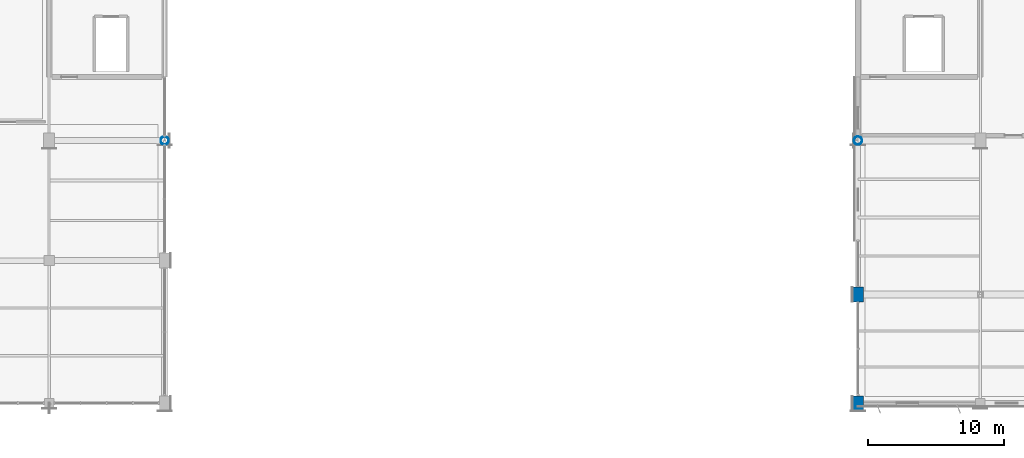
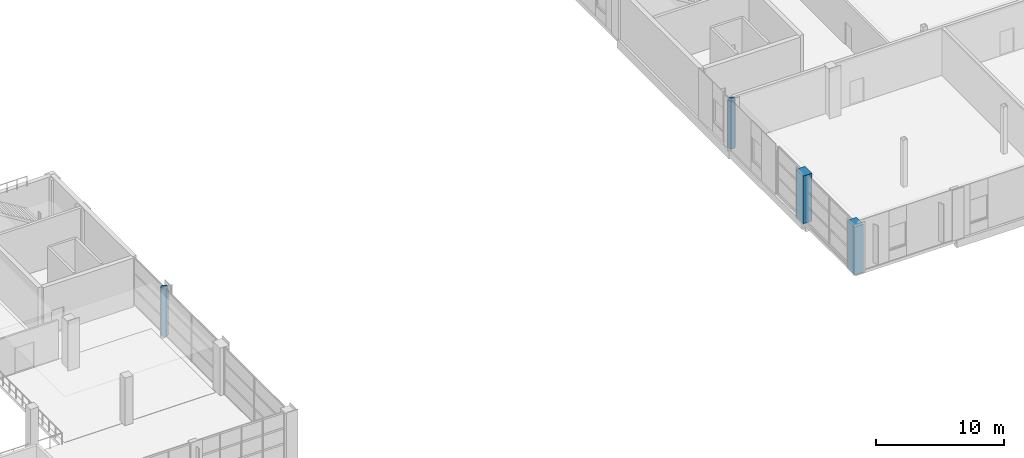
# One storey, part 2 of 112: 4 columns.
"""IFC4 building model written with IfcOpenShell, lengths in metres."""

from ifc_helpers import new_model, si_unit, direction, frame, origin, origin_2d, place, context, subcontext, project, spatial, rectangle, hollow_circle, extrude, material, material_profile, profile_set, type_object, element, save


model = new_model("IFC4")

# Units and contexts
model_context = context("Model", 3, precision=1e-05, world=origin(), true_north=direction((0.0, 1.0)))
body_context = subcontext(model_context, "Body", "Model", "MODEL_VIEW")
ifc_project = project(units=[si_unit("LENGTHUNIT", "METRE"), si_unit("AREAUNIT", "SQUARE_METRE"), si_unit("VOLUMEUNIT", "CUBIC_METRE"), si_unit("PLANEANGLEUNIT", "RADIAN"), si_unit("MASSUNIT", "GRAM", prefix="KILO")], contexts=[model_context])

# Site, building, storey
site_placement = place(None, origin())
site = spatial("IfcSite", under=ifc_project, at=site_placement, CompositionType="ELEMENT")
building_placement = place(site_placement, origin())
building = spatial("IfcBuilding", under=site, at=building_placement, Name="Solvikara Media Centre", CompositionType="ELEMENT")
storey_placement = place(building_placement, frame((0.0, 0.0, 5.39990234375)))
storey = spatial("IfcBuildingStorey", under=building, at=storey_placement, Name="L01", CompositionType="ELEMENT", Elevation=5.39990234375)

# Columns
ifc_material_1 = material(Name="Concrete fc' 45 MPa (C45/55)", Category="concrete")
ifc_material_profile_1 = material_profile(ifc_material_1, rectangle(XDim=0.800048828125, YDim=1.10009765625, at=origin_2d()), Name="RC 800x1100")
ifc_profile_set_1 = profile_set([ifc_material_profile_1], Name="Concrete fc' 45 MPa (C45/55)")
column_type_1 = type_object("IfcColumnType", Name="CL-17", PredefinedType="COLUMN", material=ifc_profile_set_1)
for number, where, z_axis, x_axis, name in (
    (1, (127.5, 0.0, 0.0), (0.0, 0.0, 1.0), (1.0, 0.0, 0.0), "C-L01-1275-0000"),
    (2, (127.5, 8.0, 0.0), (0.0, 0.0, 1.0), (1.0, 0.0, 0.0), "C-L01-1275-0080"),
):
    element("IfcColumn", number, at=place(storey_placement, frame(where, z_axis=z_axis, x_axis=x_axis)), inside=storey, type_object=column_type_1, Name=name, PredefinedType="COLUMN", context=body_context, shape_type="SweptSolid", body=[
        extrude(rectangle(XDim=0.800048828125, YDim=1.10009765625, at=origin_2d()), origin(), (0.0, 0.0, 1.0), 4.5400390625),
    ])
ifc_material_2 = material(Name="Steel S355JR", Category="steel")
ifc_material_profile_2 = material_profile(ifc_material_2, hollow_circle(Radius=0.304931640625, WallThickness=0.02001953125, at=origin_2d()), Name="CHS 610x20")
ifc_profile_set_2 = profile_set([ifc_material_profile_2], Name="Steel S355JR")
column_type_2 = type_object("IfcColumnType", Name="CL-23", PredefinedType="COLUMN", material=ifc_profile_set_2)
column_1_placement = place(storey_placement, frame((76.5, 19.323974609375, 0.0), z_axis=(0.0, 0.0, 1.0), x_axis=(1.0, 0.0, 0.0)))
element("IfcColumn", 3, at=column_1_placement, inside=storey, type_object=column_type_2, Name="C-L01-0765-0193", PredefinedType="COLUMN", context=body_context, shape_type="SweptSolid", body=[
    extrude(hollow_circle(Radius=0.304931640625, WallThickness=0.02001953125, at=origin_2d()), origin(), (0.0, 0.0, 1.0), 4.52001953125),
])
column_2_placement = place(storey_placement, frame((127.5, 19.323974609375, 0.0), z_axis=(0.0, 0.0, 1.0), x_axis=(1.0, 0.0, 0.0)))
element("IfcColumn", 4, at=column_2_placement, inside=storey, type_object=column_type_2, Name="C-L01-1275-0193", PredefinedType="COLUMN", context=body_context, shape_type="SweptSolid", body=[
    extrude(hollow_circle(Radius=0.304931640625, WallThickness=0.02001953125, at=origin_2d()), origin(), (0.0, 0.0, 1.0), 4.5400390625),
])

save(model, "model.ifc")
